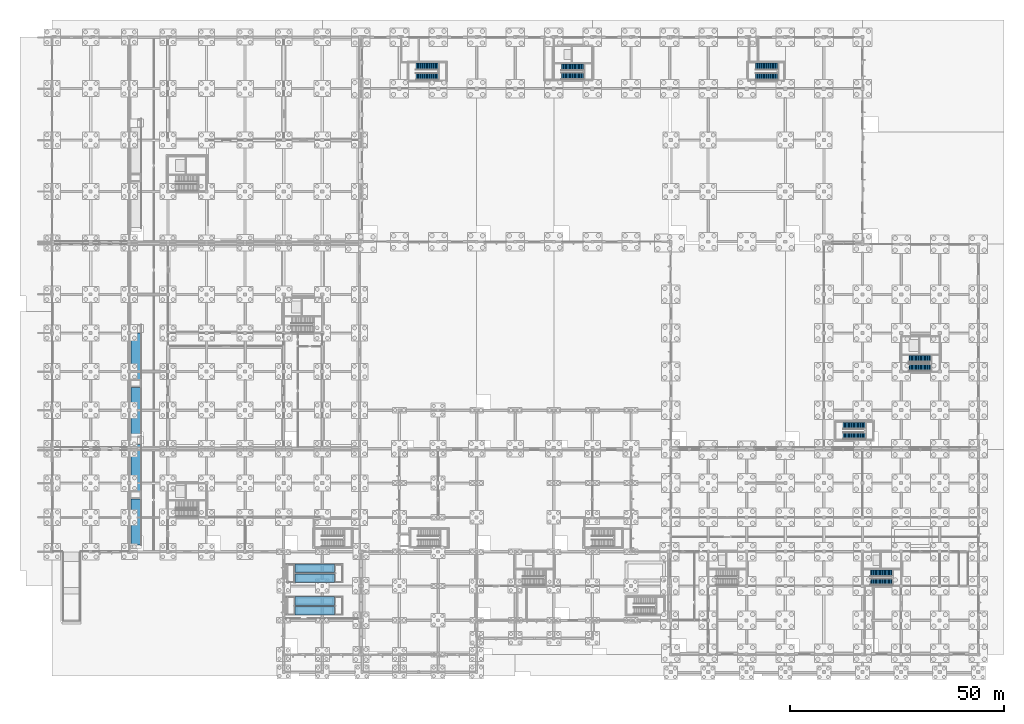
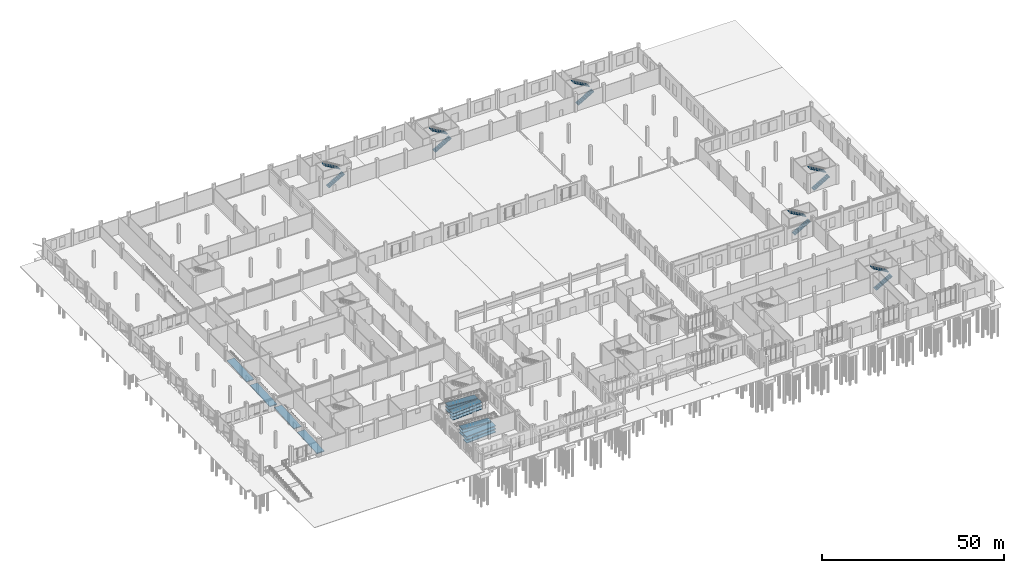
# One storey, part 76 of 99: 16 ramp flights, 12 stair flights, 10 elements without a shape of their own.
"""IFC4 building model written with IfcOpenShell, lengths in metres."""

from ifc_helpers import new_model, si_unit, direction, frame, origin, place, context, subcontext, project, spatial, polyline, outline, extrude, material, layer, layer_set, type_object, element, aggregate, save


model = new_model("IFC4")

# Units and contexts
model_context = context("Model", 3, precision=1e-05, world=origin(), true_north=direction((0.0, 1.0)))
body_context = subcontext(model_context, "Body", "Model", "MODEL_VIEW")
ifc_project = project(units=[si_unit("LENGTHUNIT", "METRE"), si_unit("AREAUNIT", "SQUARE_METRE"), si_unit("VOLUMEUNIT", "CUBIC_METRE"), si_unit("PLANEANGLEUNIT", "RADIAN"), si_unit("MASSUNIT", "GRAM", prefix="KILO")], contexts=[model_context])

# Site, building, storey
site_placement = place(None, origin())
site = spatial("IfcSite", under=ifc_project, at=site_placement, CompositionType="ELEMENT")
building_placement = place(site_placement, origin())
building = spatial("IfcBuilding", under=site, at=building_placement, Name="Zacnel Wholesale Market", CompositionType="ELEMENT")
storey_placement = place(building_placement, origin())
storey = spatial("IfcBuildingStorey", under=building, at=storey_placement, Name="L01", CompositionType="ELEMENT", Elevation=0.0)

# Stair, stair flights
ifc_material_1 = material(Name="Precast concrete C45/55", Category="concrete")
stair_type = type_object("IfcStairType", Name="STR-DOGLEG-1550", PredefinedType="HALF_TURN_STAIR", material=ifc_material_1)
stair_1_placement = place(storey_placement, origin())
stair_1 = element("IfcStair", 1, at=stair_1_placement, inside=storey, type_object=stair_type, Name="Stair ST-04 (L01)", PredefinedType="HALF_TURN_STAIR")
ifc_material_2 = material(Name="Precast concrete C45/55", Category="concrete")
ifc_layer_1 = layer(ifc_material_2, 0.159912109375)
ifc_layer_set_1 = layer_set([ifc_layer_1], Name="Precast concrete C45/55")
stair_flight_type = type_object("IfcStairFlightType", Name="FLT-PC-1550", PredefinedType="STRAIGHT", material=ifc_layer_set_1)
stair_flight_1_placement = place(storey_placement, frame((190.81005859375, 16.965087890625, 0.0), z_axis=(0.0, 0.0, 1.0), x_axis=(1.0, 0.0, 0.0)))
stair_flight_1 = element("IfcStairFlight", 2, at=stair_flight_1_placement, type_object=stair_flight_type, Name="ST-04 flight 1", NumberOfRisers=18, NumberOfTreads=17, PredefinedType="STRAIGHT", RiserHeight=0.175, TreadLength=0.3, context=body_context, shape_type="SweptSolid", body=[
    extrude(outline(polyline([(0.0, 0.0), (0.0, 0.175048828125), (0.300048828125, 0.175048828125), (0.300048828125, 0.35009765625), (0.60009765625, 0.35009765625), (0.60009765625, 0.52490234375), (0.89990234375, 0.52490234375), (0.89990234375, 0.699951171875), (1.199951171875, 0.699951171875), (1.199951171875, 0.875), (1.5, 0.875), (1.5, 1.050048828125), (1.800048828125, 1.050048828125), (1.800048828125, 1.22509765625), (2.10009765625, 1.22509765625), (2.10009765625, 1.39990234375), (2.39990234375, 1.39990234375), (2.39990234375, 1.574951171875), (2.699951171875, 1.574951171875), (2.699951171875, 1.75), (3.0, 1.75), (3.0, 1.925048828125), (3.300048828125, 1.925048828125), (3.300048828125, 2.10009765625), (3.60009765625, 2.10009765625), (3.60009765625, 2.27490234375), (3.89990234375, 2.27490234375), (3.89990234375, 2.449951171875), (4.199951171875, 2.449951171875), (4.199951171875, 2.625), (4.5, 2.625), (4.5, 2.800048828125), (4.800048828125, 2.800048828125), (4.800048828125, 2.97509765625), (5.10009765625, 2.97509765625), (5.10009765625, 3.14990234375), (5.10009765625, 2.789794921875), (0.3173828125, 0.0), (0.0, 0.0)])), frame((0.0, 0.77490234375, 0.0), z_axis=(0.0, -1.0, 0.0), x_axis=(1.0, 0.0, 0.0)), (0.0, 0.0, 1.0), 1.550048828125),
])
stair_flight_2_placement = place(storey_placement, frame((195.909912109375, 18.985107421875, 3.14990234375), z_axis=(0.0, 0.0, 1.0), x_axis=(-1.0, 0.0, 0.0)))
stair_flight_2 = element("IfcStairFlight", 3, at=stair_flight_2_placement, type_object=stair_flight_type, Name="ST-04 flight 2", NumberOfRisers=18, NumberOfTreads=17, PredefinedType="STRAIGHT", RiserHeight=0.175, TreadLength=0.3, context=body_context, shape_type="SweptSolid", body=[
    extrude(outline(polyline([(0.0, 0.0), (0.0, 0.175048828125), (0.300048828125, 0.175048828125), (0.300048828125, 0.35009765625), (0.60009765625, 0.35009765625), (0.60009765625, 0.52490234375), (0.89990234375, 0.52490234375), (0.89990234375, 0.699951171875), (1.199951171875, 0.699951171875), (1.199951171875, 0.875), (1.5, 0.875), (1.5, 1.050048828125), (1.800048828125, 1.050048828125), (1.800048828125, 1.22509765625), (2.10009765625, 1.22509765625), (2.10009765625, 1.39990234375), (2.39990234375, 1.39990234375), (2.39990234375, 1.574951171875), (2.699951171875, 1.574951171875), (2.699951171875, 1.75), (3.0, 1.75), (3.0, 1.925048828125), (3.300048828125, 1.925048828125), (3.300048828125, 2.10009765625), (3.60009765625, 2.10009765625), (3.60009765625, 2.27490234375), (3.89990234375, 2.27490234375), (3.89990234375, 2.449951171875), (4.199951171875, 2.449951171875), (4.199951171875, 2.625), (4.5, 2.625), (4.5, 2.800048828125), (4.800048828125, 2.800048828125), (4.800048828125, 2.97509765625), (5.10009765625, 2.97509765625), (5.10009765625, 3.14990234375), (5.10009765625, 2.789794921875), (0.3173828125, 0.0), (0.0, 0.0)])), frame((0.0, 0.77490234375, 0.0), z_axis=(0.0, -1.0, 0.0), x_axis=(1.0, 0.0, 0.0)), (0.0, 0.0, 1.0), 1.550048828125),
])
aggregate(stair_1, [stair_flight_1, stair_flight_2])

stair_2_placement = place(storey_placement, origin())
stair_2 = element("IfcStair", 4, at=stair_2_placement, inside=storey, type_object=stair_type, Name="Stair ST-14 (L01)", PredefinedType="HALF_TURN_STAIR")
stair_flight_3_placement = place(storey_placement, frame((118.81005859375, 134.965087890625, 0.0), z_axis=(0.0, 0.0, 1.0), x_axis=(1.0, 0.0, 0.0)))
stair_flight_3 = element("IfcStairFlight", 5, at=stair_flight_3_placement, type_object=stair_flight_type, Name="ST-14 flight 1", NumberOfRisers=18, NumberOfTreads=17, PredefinedType="STRAIGHT", RiserHeight=0.175, TreadLength=0.3, context=body_context, shape_type="SweptSolid", body=[
    extrude(outline(polyline([(0.0, 0.0), (0.0, 0.175048828125), (0.300048828125, 0.175048828125), (0.300048828125, 0.35009765625), (0.60009765625, 0.35009765625), (0.60009765625, 0.52490234375), (0.89990234375, 0.52490234375), (0.89990234375, 0.699951171875), (1.199951171875, 0.699951171875), (1.199951171875, 0.875), (1.5, 0.875), (1.5, 1.050048828125), (1.800048828125, 1.050048828125), (1.800048828125, 1.22509765625), (2.10009765625, 1.22509765625), (2.10009765625, 1.39990234375), (2.39990234375, 1.39990234375), (2.39990234375, 1.574951171875), (2.699951171875, 1.574951171875), (2.699951171875, 1.75), (3.0, 1.75), (3.0, 1.925048828125), (3.300048828125, 1.925048828125), (3.300048828125, 2.10009765625), (3.60009765625, 2.10009765625), (3.60009765625, 2.27490234375), (3.89990234375, 2.27490234375), (3.89990234375, 2.449951171875), (4.199951171875, 2.449951171875), (4.199951171875, 2.625), (4.5, 2.625), (4.5, 2.800048828125), (4.800048828125, 2.800048828125), (4.800048828125, 2.97509765625), (5.10009765625, 2.97509765625), (5.10009765625, 3.14990234375), (5.10009765625, 2.789794921875), (0.3173828125, 0.0), (0.0, 0.0)])), frame((0.0, 0.77490234375, 0.0), z_axis=(0.0, -1.0, 0.0), x_axis=(1.0, 0.0, 0.0)), (0.0, 0.0, 1.0), 1.550048828125),
])
stair_flight_4_placement = place(storey_placement, frame((123.909912109375, 136.985107421875, 3.14990234375), z_axis=(0.0, 0.0, 1.0), x_axis=(-1.0, 0.0, 0.0)))
stair_flight_4 = element("IfcStairFlight", 6, at=stair_flight_4_placement, type_object=stair_flight_type, Name="ST-14 flight 2", NumberOfRisers=18, NumberOfTreads=17, PredefinedType="STRAIGHT", RiserHeight=0.175, TreadLength=0.3, context=body_context, shape_type="SweptSolid", body=[
    extrude(outline(polyline([(0.0, 0.0), (0.0, 0.175048828125), (0.300048828125, 0.175048828125), (0.300048828125, 0.35009765625), (0.60009765625, 0.35009765625), (0.60009765625, 0.52490234375), (0.89990234375, 0.52490234375), (0.89990234375, 0.699951171875), (1.199951171875, 0.699951171875), (1.199951171875, 0.875), (1.5, 0.875), (1.5, 1.050048828125), (1.800048828125, 1.050048828125), (1.800048828125, 1.22509765625), (2.10009765625, 1.22509765625), (2.10009765625, 1.39990234375), (2.39990234375, 1.39990234375), (2.39990234375, 1.574951171875), (2.699951171875, 1.574951171875), (2.699951171875, 1.75), (3.0, 1.75), (3.0, 1.925048828125), (3.300048828125, 1.925048828125), (3.300048828125, 2.10009765625), (3.60009765625, 2.10009765625), (3.60009765625, 2.27490234375), (3.89990234375, 2.27490234375), (3.89990234375, 2.449951171875), (4.199951171875, 2.449951171875), (4.199951171875, 2.625), (4.5, 2.625), (4.5, 2.800048828125), (4.800048828125, 2.800048828125), (4.800048828125, 2.97509765625), (5.10009765625, 2.97509765625), (5.10009765625, 3.14990234375), (5.10009765625, 2.789794921875), (0.3173828125, 0.0), (0.0, 0.0)])), frame((0.0, 0.77490234375, 0.0), z_axis=(0.0, -1.0, 0.0), x_axis=(1.0, 0.0, 0.0)), (0.0, 0.0, 1.0), 1.550048828125),
])
aggregate(stair_2, [stair_flight_3, stair_flight_4])

stair_3_placement = place(storey_placement, origin())
stair_3 = element("IfcStair", 7, at=stair_3_placement, inside=storey, type_object=stair_type, Name="Stair ST-15 (L01)", PredefinedType="HALF_TURN_STAIR")
stair_flight_5_placement = place(storey_placement, frame((199.81005859375, 66.965087890625, 0.0), z_axis=(0.0, 0.0, 1.0), x_axis=(1.0, 0.0, 0.0)))
stair_flight_5 = element("IfcStairFlight", 8, at=stair_flight_5_placement, type_object=stair_flight_type, Name="ST-15 flight 1", NumberOfRisers=18, NumberOfTreads=17, PredefinedType="STRAIGHT", RiserHeight=0.175, TreadLength=0.3, context=body_context, shape_type="SweptSolid", body=[
    extrude(outline(polyline([(0.0, 0.0), (0.0, 0.175048828125), (0.300048828125, 0.175048828125), (0.300048828125, 0.35009765625), (0.60009765625, 0.35009765625), (0.60009765625, 0.52490234375), (0.89990234375, 0.52490234375), (0.89990234375, 0.699951171875), (1.199951171875, 0.699951171875), (1.199951171875, 0.875), (1.5, 0.875), (1.5, 1.050048828125), (1.800048828125, 1.050048828125), (1.800048828125, 1.22509765625), (2.10009765625, 1.22509765625), (2.10009765625, 1.39990234375), (2.39990234375, 1.39990234375), (2.39990234375, 1.574951171875), (2.699951171875, 1.574951171875), (2.699951171875, 1.75), (3.0, 1.75), (3.0, 1.925048828125), (3.300048828125, 1.925048828125), (3.300048828125, 2.10009765625), (3.60009765625, 2.10009765625), (3.60009765625, 2.27490234375), (3.89990234375, 2.27490234375), (3.89990234375, 2.449951171875), (4.199951171875, 2.449951171875), (4.199951171875, 2.625), (4.5, 2.625), (4.5, 2.800048828125), (4.800048828125, 2.800048828125), (4.800048828125, 2.97509765625), (5.10009765625, 2.97509765625), (5.10009765625, 3.14990234375), (5.10009765625, 2.789794921875), (0.3173828125, 0.0), (0.0, 0.0)])), frame((0.0, 0.77490234375, 0.0), z_axis=(0.0, -1.0, 0.0), x_axis=(1.0, 0.0, 0.0)), (0.0, 0.0, 1.0), 1.550048828125),
])
stair_flight_6_placement = place(storey_placement, frame((204.909912109375, 68.985107421875, 3.14990234375), z_axis=(0.0, 0.0, 1.0), x_axis=(-1.0, 0.0, 0.0)))
stair_flight_6 = element("IfcStairFlight", 9, at=stair_flight_6_placement, type_object=stair_flight_type, Name="ST-15 flight 2", NumberOfRisers=18, NumberOfTreads=17, PredefinedType="STRAIGHT", RiserHeight=0.175, TreadLength=0.3, context=body_context, shape_type="SweptSolid", body=[
    extrude(outline(polyline([(0.0, 0.0), (0.0, 0.175048828125), (0.300048828125, 0.175048828125), (0.300048828125, 0.35009765625), (0.60009765625, 0.35009765625), (0.60009765625, 0.52490234375), (0.89990234375, 0.52490234375), (0.89990234375, 0.699951171875), (1.199951171875, 0.699951171875), (1.199951171875, 0.875), (1.5, 0.875), (1.5, 1.050048828125), (1.800048828125, 1.050048828125), (1.800048828125, 1.22509765625), (2.10009765625, 1.22509765625), (2.10009765625, 1.39990234375), (2.39990234375, 1.39990234375), (2.39990234375, 1.574951171875), (2.699951171875, 1.574951171875), (2.699951171875, 1.75), (3.0, 1.75), (3.0, 1.925048828125), (3.300048828125, 1.925048828125), (3.300048828125, 2.10009765625), (3.60009765625, 2.10009765625), (3.60009765625, 2.27490234375), (3.89990234375, 2.27490234375), (3.89990234375, 2.449951171875), (4.199951171875, 2.449951171875), (4.199951171875, 2.625), (4.5, 2.625), (4.5, 2.800048828125), (4.800048828125, 2.800048828125), (4.800048828125, 2.97509765625), (5.10009765625, 2.97509765625), (5.10009765625, 3.14990234375), (5.10009765625, 2.789794921875), (0.3173828125, 0.0), (0.0, 0.0)])), frame((0.0, 0.77490234375, 0.0), z_axis=(0.0, -1.0, 0.0), x_axis=(1.0, 0.0, 0.0)), (0.0, 0.0, 1.0), 1.550048828125),
])
aggregate(stair_3, [stair_flight_5, stair_flight_6])

stair_4_placement = place(storey_placement, origin())
stair_4 = element("IfcStair", 10, at=stair_4_placement, inside=storey, type_object=stair_type, Name="Stair ST-20 (L01)", PredefinedType="HALF_TURN_STAIR")
stair_flight_7_placement = place(storey_placement, frame((84.8798828125, 134.8349609375, 0.0), z_axis=(0.0, 0.0, 1.0), x_axis=(1.0, 0.0, 0.0)))
stair_flight_7 = element("IfcStairFlight", 11, at=stair_flight_7_placement, type_object=stair_flight_type, Name="ST-20 flight 1", NumberOfRisers=18, NumberOfTreads=17, PredefinedType="STRAIGHT", RiserHeight=0.175, TreadLength=0.3, context=body_context, shape_type="SweptSolid", body=[
    extrude(outline(polyline([(0.0, 0.0), (0.0, 0.175048828125), (0.300048828125, 0.175048828125), (0.300048828125, 0.35009765625), (0.60009765625, 0.35009765625), (0.60009765625, 0.52490234375), (0.89990234375, 0.52490234375), (0.89990234375, 0.699951171875), (1.199951171875, 0.699951171875), (1.199951171875, 0.875), (1.5, 0.875), (1.5, 1.050048828125), (1.800048828125, 1.050048828125), (1.800048828125, 1.22509765625), (2.10009765625, 1.22509765625), (2.10009765625, 1.39990234375), (2.39990234375, 1.39990234375), (2.39990234375, 1.574951171875), (2.699951171875, 1.574951171875), (2.699951171875, 1.75), (3.0, 1.75), (3.0, 1.925048828125), (3.300048828125, 1.925048828125), (3.300048828125, 2.10009765625), (3.60009765625, 2.10009765625), (3.60009765625, 2.27490234375), (3.89990234375, 2.27490234375), (3.89990234375, 2.449951171875), (4.199951171875, 2.449951171875), (4.199951171875, 2.625), (4.5, 2.625), (4.5, 2.800048828125), (4.800048828125, 2.800048828125), (4.800048828125, 2.97509765625), (5.10009765625, 2.97509765625), (5.10009765625, 3.14990234375), (5.10009765625, 2.789794921875), (0.3173828125, 0.0), (0.0, 0.0)])), frame((0.0, 0.77490234375, 0.0), z_axis=(0.0, -1.0, 0.0), x_axis=(1.0, 0.0, 0.0)), (0.0, 0.0, 1.0), 1.550048828125),
])
stair_flight_8_placement = place(storey_placement, frame((89.97998046875, 137.1650390625, 3.14990234375), z_axis=(0.0, 0.0, 1.0), x_axis=(-1.0, 0.0, 0.0)))
stair_flight_8 = element("IfcStairFlight", 12, at=stair_flight_8_placement, type_object=stair_flight_type, Name="ST-20 flight 2", NumberOfRisers=18, NumberOfTreads=17, PredefinedType="STRAIGHT", RiserHeight=0.175, TreadLength=0.3, context=body_context, shape_type="SweptSolid", body=[
    extrude(outline(polyline([(0.0, 0.0), (0.0, 0.175048828125), (0.300048828125, 0.175048828125), (0.300048828125, 0.35009765625), (0.60009765625, 0.35009765625), (0.60009765625, 0.52490234375), (0.89990234375, 0.52490234375), (0.89990234375, 0.699951171875), (1.199951171875, 0.699951171875), (1.199951171875, 0.875), (1.5, 0.875), (1.5, 1.050048828125), (1.800048828125, 1.050048828125), (1.800048828125, 1.22509765625), (2.10009765625, 1.22509765625), (2.10009765625, 1.39990234375), (2.39990234375, 1.39990234375), (2.39990234375, 1.574951171875), (2.699951171875, 1.574951171875), (2.699951171875, 1.75), (3.0, 1.75), (3.0, 1.925048828125), (3.300048828125, 1.925048828125), (3.300048828125, 2.10009765625), (3.60009765625, 2.10009765625), (3.60009765625, 2.27490234375), (3.89990234375, 2.27490234375), (3.89990234375, 2.449951171875), (4.199951171875, 2.449951171875), (4.199951171875, 2.625), (4.5, 2.625), (4.5, 2.800048828125), (4.800048828125, 2.800048828125), (4.800048828125, 2.97509765625), (5.10009765625, 2.97509765625), (5.10009765625, 3.14990234375), (5.10009765625, 2.789794921875), (0.3173828125, 0.0), (0.0, 0.0)])), frame((0.0, 0.77490234375, 0.0), z_axis=(0.0, -1.0, 0.0), x_axis=(1.0, 0.0, 0.0)), (0.0, 0.0, 1.0), 1.550048828125),
])
aggregate(stair_4, [stair_flight_7, stair_flight_8])

stair_5_placement = place(storey_placement, origin())
stair_5 = element("IfcStair", 13, at=stair_5_placement, inside=storey, type_object=stair_type, Name="Stair ST-21 (L01)", PredefinedType="HALF_TURN_STAIR")
stair_flight_9_placement = place(storey_placement, frame((164.080078125, 134.8349609375, 0.0), z_axis=(0.0, 0.0, 1.0), x_axis=(1.0, 0.0, 0.0)))
stair_flight_9 = element("IfcStairFlight", 14, at=stair_flight_9_placement, type_object=stair_flight_type, Name="ST-21 flight 1", NumberOfRisers=18, NumberOfTreads=17, PredefinedType="STRAIGHT", RiserHeight=0.175, TreadLength=0.3, context=body_context, shape_type="SweptSolid", body=[
    extrude(outline(polyline([(0.0, 0.0), (0.0, 0.175048828125), (0.300048828125, 0.175048828125), (0.300048828125, 0.35009765625), (0.60009765625, 0.35009765625), (0.60009765625, 0.52490234375), (0.89990234375, 0.52490234375), (0.89990234375, 0.699951171875), (1.199951171875, 0.699951171875), (1.199951171875, 0.875), (1.5, 0.875), (1.5, 1.050048828125), (1.800048828125, 1.050048828125), (1.800048828125, 1.22509765625), (2.10009765625, 1.22509765625), (2.10009765625, 1.39990234375), (2.39990234375, 1.39990234375), (2.39990234375, 1.574951171875), (2.699951171875, 1.574951171875), (2.699951171875, 1.75), (3.0, 1.75), (3.0, 1.925048828125), (3.300048828125, 1.925048828125), (3.300048828125, 2.10009765625), (3.60009765625, 2.10009765625), (3.60009765625, 2.27490234375), (3.89990234375, 2.27490234375), (3.89990234375, 2.449951171875), (4.199951171875, 2.449951171875), (4.199951171875, 2.625), (4.5, 2.625), (4.5, 2.800048828125), (4.800048828125, 2.800048828125), (4.800048828125, 2.97509765625), (5.10009765625, 2.97509765625), (5.10009765625, 3.14990234375), (5.10009765625, 2.789794921875), (0.3173828125, 0.0), (0.0, 0.0)])), frame((0.0, 0.77490234375, 0.0), z_axis=(0.0, -1.0, 0.0), x_axis=(1.0, 0.0, 0.0)), (0.0, 0.0, 1.0), 1.550048828125),
])
stair_flight_10_placement = place(storey_placement, frame((169.179931640625, 137.1650390625, 3.14990234375), z_axis=(0.0, 0.0, 1.0), x_axis=(-1.0, 0.0, 0.0)))
stair_flight_10 = element("IfcStairFlight", 15, at=stair_flight_10_placement, type_object=stair_flight_type, Name="ST-21 flight 2", NumberOfRisers=18, NumberOfTreads=17, PredefinedType="STRAIGHT", RiserHeight=0.175, TreadLength=0.3, context=body_context, shape_type="SweptSolid", body=[
    extrude(outline(polyline([(0.0, 0.0), (0.0, 0.175048828125), (0.300048828125, 0.175048828125), (0.300048828125, 0.35009765625), (0.60009765625, 0.35009765625), (0.60009765625, 0.52490234375), (0.89990234375, 0.52490234375), (0.89990234375, 0.699951171875), (1.199951171875, 0.699951171875), (1.199951171875, 0.875), (1.5, 0.875), (1.5, 1.050048828125), (1.800048828125, 1.050048828125), (1.800048828125, 1.22509765625), (2.10009765625, 1.22509765625), (2.10009765625, 1.39990234375), (2.39990234375, 1.39990234375), (2.39990234375, 1.574951171875), (2.699951171875, 1.574951171875), (2.699951171875, 1.75), (3.0, 1.75), (3.0, 1.925048828125), (3.300048828125, 1.925048828125), (3.300048828125, 2.10009765625), (3.60009765625, 2.10009765625), (3.60009765625, 2.27490234375), (3.89990234375, 2.27490234375), (3.89990234375, 2.449951171875), (4.199951171875, 2.449951171875), (4.199951171875, 2.625), (4.5, 2.625), (4.5, 2.800048828125), (4.800048828125, 2.800048828125), (4.800048828125, 2.97509765625), (5.10009765625, 2.97509765625), (5.10009765625, 3.14990234375), (5.10009765625, 2.789794921875), (0.3173828125, 0.0), (0.0, 0.0)])), frame((0.0, 0.77490234375, 0.0), z_axis=(0.0, -1.0, 0.0), x_axis=(1.0, 0.0, 0.0)), (0.0, 0.0, 1.0), 1.550048828125),
])
aggregate(stair_5, [stair_flight_9, stair_flight_10])

stair_6_placement = place(storey_placement, origin())
stair_6 = element("IfcStair", 16, at=stair_6_placement, inside=storey, type_object=stair_type, Name="Stair ST-22 (L01)", PredefinedType="HALF_TURN_STAIR")
stair_flight_11_placement = place(storey_placement, frame((184.47998046875, 51.034912109375, 0.0), z_axis=(0.0, 0.0, 1.0), x_axis=(1.0, 0.0, 0.0)))
stair_flight_11 = element("IfcStairFlight", 17, at=stair_flight_11_placement, type_object=stair_flight_type, Name="ST-22 flight 1", NumberOfRisers=18, NumberOfTreads=17, PredefinedType="STRAIGHT", RiserHeight=0.175, TreadLength=0.3, context=body_context, shape_type="SweptSolid", body=[
    extrude(outline(polyline([(0.0, 0.0), (0.0, 0.175048828125), (0.300048828125, 0.175048828125), (0.300048828125, 0.35009765625), (0.60009765625, 0.35009765625), (0.60009765625, 0.52490234375), (0.89990234375, 0.52490234375), (0.89990234375, 0.699951171875), (1.199951171875, 0.699951171875), (1.199951171875, 0.875), (1.5, 0.875), (1.5, 1.050048828125), (1.800048828125, 1.050048828125), (1.800048828125, 1.22509765625), (2.10009765625, 1.22509765625), (2.10009765625, 1.39990234375), (2.39990234375, 1.39990234375), (2.39990234375, 1.574951171875), (2.699951171875, 1.574951171875), (2.699951171875, 1.75), (3.0, 1.75), (3.0, 1.925048828125), (3.300048828125, 1.925048828125), (3.300048828125, 2.10009765625), (3.60009765625, 2.10009765625), (3.60009765625, 2.27490234375), (3.89990234375, 2.27490234375), (3.89990234375, 2.449951171875), (4.199951171875, 2.449951171875), (4.199951171875, 2.625), (4.5, 2.625), (4.5, 2.800048828125), (4.800048828125, 2.800048828125), (4.800048828125, 2.97509765625), (5.10009765625, 2.97509765625), (5.10009765625, 3.14990234375), (5.10009765625, 2.789794921875), (0.3173828125, 0.0), (0.0, 0.0)])), frame((0.0, 0.77490234375, 0.0), z_axis=(0.0, -1.0, 0.0), x_axis=(1.0, 0.0, 0.0)), (0.0, 0.0, 1.0), 1.550048828125),
])
stair_flight_12_placement = place(storey_placement, frame((189.580078125, 53.364990234375, 3.14990234375), z_axis=(0.0, 0.0, 1.0), x_axis=(-1.0, 0.0, 0.0)))
stair_flight_12 = element("IfcStairFlight", 18, at=stair_flight_12_placement, type_object=stair_flight_type, Name="ST-22 flight 2", NumberOfRisers=18, NumberOfTreads=17, PredefinedType="STRAIGHT", RiserHeight=0.175, TreadLength=0.3, context=body_context, shape_type="SweptSolid", body=[
    extrude(outline(polyline([(0.0, 0.0), (0.0, 0.175048828125), (0.300048828125, 0.175048828125), (0.300048828125, 0.35009765625), (0.60009765625, 0.35009765625), (0.60009765625, 0.52490234375), (0.89990234375, 0.52490234375), (0.89990234375, 0.699951171875), (1.199951171875, 0.699951171875), (1.199951171875, 0.875), (1.5, 0.875), (1.5, 1.050048828125), (1.800048828125, 1.050048828125), (1.800048828125, 1.22509765625), (2.10009765625, 1.22509765625), (2.10009765625, 1.39990234375), (2.39990234375, 1.39990234375), (2.39990234375, 1.574951171875), (2.699951171875, 1.574951171875), (2.699951171875, 1.75), (3.0, 1.75), (3.0, 1.925048828125), (3.300048828125, 1.925048828125), (3.300048828125, 2.10009765625), (3.60009765625, 2.10009765625), (3.60009765625, 2.27490234375), (3.89990234375, 2.27490234375), (3.89990234375, 2.449951171875), (4.199951171875, 2.449951171875), (4.199951171875, 2.625), (4.5, 2.625), (4.5, 2.800048828125), (4.800048828125, 2.800048828125), (4.800048828125, 2.97509765625), (5.10009765625, 2.97509765625), (5.10009765625, 3.14990234375), (5.10009765625, 2.789794921875), (0.3173828125, 0.0), (0.0, 0.0)])), frame((0.0, 0.77490234375, 0.0), z_axis=(0.0, -1.0, 0.0), x_axis=(1.0, 0.0, 0.0)), (0.0, 0.0, 1.0), 1.550048828125),
])
aggregate(stair_6, [stair_flight_11, stair_flight_12])

# Ramp, ramp flights
ifc_material_3 = material(Name="Precast concrete C45/55", Category="concrete")
ramp_type_1 = type_object("IfcRampType", Name="RMP-TWO-RUN-2000", PredefinedType="TWO_STRAIGHT_RUN_RAMP", material=ifc_material_3)
ramp_1_placement = place(storey_placement, origin())
ramp_1 = element("IfcRamp", 19, at=ramp_1_placement, inside=storey, type_object=ramp_type_1, Name="Accessible ramp RP-03 (RMP-PROM-1A)", PredefinedType="TWO_STRAIGHT_RUN_RAMP")
ifc_material_4 = material(Name="Precast concrete C45/55", Category="concrete")
ifc_layer_2 = layer(ifc_material_4, 0.219970703125)
ifc_layer_set_2 = layer_set([ifc_layer_2], Name="Precast concrete C45/55")
ramp_flight_type_1 = type_object("IfcRampFlightType", Name="RFLT-PC-2000", PredefinedType="STRAIGHT", material=ifc_layer_set_2)
ramp_flight_1_placement = place(storey_placement, frame((56.60009765625, 10.199951171875, 0.0), z_axis=(0.0, 0.0, 1.0), x_axis=(1.0, 0.0, 0.0)))
ramp_flight_1 = element("IfcRampFlight", 20, at=ramp_flight_1_placement, type_object=ramp_flight_type_1, Name="Accessible ramp RP-03 (RMP-PROM-1A) flight 1", PredefinedType="STRAIGHT", context=body_context, shape_type="SweptSolid", body=[
    extrude(outline(polyline([(0.0, 0.0), (9.2919921875, 0.52490234375), (9.2919921875, 0.304931640625), (0.0, -0.219970703125), (0.0, 0.0)])), frame((0.0, 1.0, 0.0), z_axis=(0.0, -1.0, 0.0), x_axis=(1.0, 0.0, 0.0)), (0.0, 0.0, 1.0), 2.0),
])
ramp_flight_2_placement = place(storey_placement, frame((65.89208984375, 12.5, 0.52490234375), z_axis=(0.0, 0.0, 1.0), x_axis=(-1.0, 0.0, 0.0)))
ramp_flight_2 = element("IfcRampFlight", 21, at=ramp_flight_2_placement, type_object=ramp_flight_type_1, Name="Accessible ramp RP-03 (RMP-PROM-1A) flight 2", PredefinedType="STRAIGHT", context=body_context, shape_type="SweptSolid", body=[
    extrude(outline(polyline([(0.0, 0.0), (9.2919921875, 0.52490234375), (9.2919921875, 0.304931640625), (0.0, -0.219970703125), (0.0, 0.0)])), frame((0.0, 1.0, 0.0), z_axis=(0.0, -1.0, 0.0), x_axis=(1.0, 0.0, 0.0)), (0.0, 0.0, 1.0), 2.0),
])
ramp_flight_3_placement = place(storey_placement, frame((56.60009765625, 10.199951171875, 1.050048828125), z_axis=(0.0, 0.0, 1.0), x_axis=(1.0, 0.0, 0.0)))
ramp_flight_3 = element("IfcRampFlight", 22, at=ramp_flight_3_placement, type_object=ramp_flight_type_1, Name="Accessible ramp RP-03 (RMP-PROM-1A) flight 3", PredefinedType="STRAIGHT", context=body_context, shape_type="SweptSolid", body=[
    extrude(outline(polyline([(0.0, 0.0), (9.2919921875, 0.52490234375), (9.2919921875, 0.304931640625), (0.0, -0.219970703125), (0.0, 0.0)])), frame((0.0, 1.0, 0.0), z_axis=(0.0, -1.0, 0.0), x_axis=(1.0, 0.0, 0.0)), (0.0, 0.0, 1.0), 2.0),
])
ramp_flight_4_placement = place(storey_placement, frame((65.89208984375, 12.5, 1.574951171875), z_axis=(0.0, 0.0, 1.0), x_axis=(-1.0, 0.0, 0.0)))
ramp_flight_4 = element("IfcRampFlight", 23, at=ramp_flight_4_placement, type_object=ramp_flight_type_1, Name="Accessible ramp RP-03 (RMP-PROM-1A) flight 4", PredefinedType="STRAIGHT", context=body_context, shape_type="SweptSolid", body=[
    extrude(outline(polyline([(0.0, 0.0), (9.2919921875, 0.52490234375), (9.2919921875, 0.304931640625), (0.0, -0.219970703125), (0.0, 0.0)])), frame((0.0, 1.0, 0.0), z_axis=(0.0, -1.0, 0.0), x_axis=(1.0, 0.0, 0.0)), (0.0, 0.0, 1.0), 2.0),
])
ramp_flight_5_placement = place(storey_placement, frame((56.60009765625, 10.199951171875, 2.10009765625), z_axis=(0.0, 0.0, 1.0), x_axis=(1.0, 0.0, 0.0)))
ramp_flight_5 = element("IfcRampFlight", 24, at=ramp_flight_5_placement, type_object=ramp_flight_type_1, Name="Accessible ramp RP-03 (RMP-PROM-1A) flight 5", PredefinedType="STRAIGHT", context=body_context, shape_type="SweptSolid", body=[
    extrude(outline(polyline([(0.0, 0.0), (9.2919921875, 0.52490234375), (9.2919921875, 0.304931640625), (0.0, -0.219970703125), (0.0, 0.0)])), frame((0.0, 1.0, 0.0), z_axis=(0.0, -1.0, 0.0), x_axis=(1.0, 0.0, 0.0)), (0.0, 0.0, 1.0), 2.0),
])
ramp_flight_6_placement = place(storey_placement, frame((65.89208984375, 12.5, 2.625), z_axis=(0.0, 0.0, 1.0), x_axis=(-1.0, 0.0, 0.0)))
ramp_flight_6 = element("IfcRampFlight", 25, at=ramp_flight_6_placement, type_object=ramp_flight_type_1, Name="Accessible ramp RP-03 (RMP-PROM-1A) flight 6", PredefinedType="STRAIGHT", context=body_context, shape_type="SweptSolid", body=[
    extrude(outline(polyline([(0.0, 0.0), (9.2919921875, 0.52490234375), (9.2919921875, 0.304931640625), (0.0, -0.219970703125), (0.0, 0.0)])), frame((0.0, 1.0, 0.0), z_axis=(0.0, -1.0, 0.0), x_axis=(1.0, 0.0, 0.0)), (0.0, 0.0, 1.0), 2.0),
])
aggregate(ramp_1, [ramp_flight_1, ramp_flight_2, ramp_flight_3, ramp_flight_4, ramp_flight_5, ramp_flight_6])

ramp_2_placement = place(storey_placement, origin())
ramp_2 = element("IfcRamp", 26, at=ramp_2_placement, inside=storey, type_object=ramp_type_1, Name="Accessible ramp RP-03 (RMP-PROM-1B)", PredefinedType="TWO_STRAIGHT_RUN_RAMP")
ramp_flight_7_placement = place(storey_placement, frame((56.60009765625, 17.800048828125, 3.14990234375), z_axis=(0.0, 0.0, 1.0), x_axis=(1.0, 0.0, 0.0)))
ramp_flight_7 = element("IfcRampFlight", 27, at=ramp_flight_7_placement, type_object=ramp_flight_type_1, Name="Accessible ramp RP-03 (RMP-PROM-1B) flight 1", PredefinedType="STRAIGHT", context=body_context, shape_type="SweptSolid", body=[
    extrude(outline(polyline([(0.0, 0.0), (9.2919921875, 0.52490234375), (9.2919921875, 0.304931640625), (0.0, -0.219970703125), (0.0, 0.0)])), frame((0.0, 1.0, 0.0), z_axis=(0.0, -1.0, 0.0), x_axis=(1.0, 0.0, 0.0)), (0.0, 0.0, 1.0), 2.0),
])
ramp_flight_8_placement = place(storey_placement, frame((65.89208984375, 20.10009765625, 3.675048828125), z_axis=(0.0, 0.0, 1.0), x_axis=(-1.0, 0.0, 0.0)))
ramp_flight_8 = element("IfcRampFlight", 28, at=ramp_flight_8_placement, type_object=ramp_flight_type_1, Name="Accessible ramp RP-03 (RMP-PROM-1B) flight 2", PredefinedType="STRAIGHT", context=body_context, shape_type="SweptSolid", body=[
    extrude(outline(polyline([(0.0, 0.0), (9.2919921875, 0.52490234375), (9.2919921875, 0.304931640625), (0.0, -0.219970703125), (0.0, 0.0)])), frame((0.0, 1.0, 0.0), z_axis=(0.0, -1.0, 0.0), x_axis=(1.0, 0.0, 0.0)), (0.0, 0.0, 1.0), 2.0),
])
ramp_flight_9_placement = place(storey_placement, frame((56.60009765625, 17.800048828125, 4.199951171875), z_axis=(0.0, 0.0, 1.0), x_axis=(1.0, 0.0, 0.0)))
ramp_flight_9 = element("IfcRampFlight", 29, at=ramp_flight_9_placement, type_object=ramp_flight_type_1, Name="Accessible ramp RP-03 (RMP-PROM-1B) flight 3", PredefinedType="STRAIGHT", context=body_context, shape_type="SweptSolid", body=[
    extrude(outline(polyline([(0.0, 0.0), (9.2919921875, 0.52490234375), (9.2919921875, 0.304931640625), (0.0, -0.219970703125), (0.0, 0.0)])), frame((0.0, 1.0, 0.0), z_axis=(0.0, -1.0, 0.0), x_axis=(1.0, 0.0, 0.0)), (0.0, 0.0, 1.0), 2.0),
])
ramp_flight_10_placement = place(storey_placement, frame((65.89208984375, 20.10009765625, 4.72509765625), z_axis=(0.0, 0.0, 1.0), x_axis=(-1.0, 0.0, 0.0)))
ramp_flight_10 = element("IfcRampFlight", 30, at=ramp_flight_10_placement, type_object=ramp_flight_type_1, Name="Accessible ramp RP-03 (RMP-PROM-1B) flight 4", PredefinedType="STRAIGHT", context=body_context, shape_type="SweptSolid", body=[
    extrude(outline(polyline([(0.0, 0.0), (9.2919921875, 0.52490234375), (9.2919921875, 0.304931640625), (0.0, -0.219970703125), (0.0, 0.0)])), frame((0.0, 1.0, 0.0), z_axis=(0.0, -1.0, 0.0), x_axis=(1.0, 0.0, 0.0)), (0.0, 0.0, 1.0), 2.0),
])
ramp_flight_11_placement = place(storey_placement, frame((56.60009765625, 17.800048828125, 5.25), z_axis=(0.0, 0.0, 1.0), x_axis=(1.0, 0.0, 0.0)))
ramp_flight_11 = element("IfcRampFlight", 31, at=ramp_flight_11_placement, type_object=ramp_flight_type_1, Name="Accessible ramp RP-03 (RMP-PROM-1B) flight 5", PredefinedType="STRAIGHT", context=body_context, shape_type="SweptSolid", body=[
    extrude(outline(polyline([(0.0, 0.0), (9.2919921875, 0.52490234375), (9.2919921875, 0.304931640625), (0.0, -0.219970703125), (0.0, 0.0)])), frame((0.0, 1.0, 0.0), z_axis=(0.0, -1.0, 0.0), x_axis=(1.0, 0.0, 0.0)), (0.0, 0.0, 1.0), 2.0),
])
ramp_flight_12_placement = place(storey_placement, frame((65.89208984375, 20.10009765625, 5.77490234375), z_axis=(0.0, 0.0, 1.0), x_axis=(-1.0, 0.0, 0.0)))
ramp_flight_12 = element("IfcRampFlight", 32, at=ramp_flight_12_placement, type_object=ramp_flight_type_1, Name="Accessible ramp RP-03 (RMP-PROM-1B) flight 6", PredefinedType="STRAIGHT", context=body_context, shape_type="SweptSolid", body=[
    extrude(outline(polyline([(0.0, 0.0), (9.2919921875, 0.52490234375), (9.2919921875, 0.304931640625), (0.0, -0.219970703125), (0.0, 0.0)])), frame((0.0, 1.0, 0.0), z_axis=(0.0, -1.0, 0.0), x_axis=(1.0, 0.0, 0.0)), (0.0, 0.0, 1.0), 2.0),
])
aggregate(ramp_2, [ramp_flight_7, ramp_flight_8, ramp_flight_9, ramp_flight_10, ramp_flight_11, ramp_flight_12])

ifc_material_5 = material(Name="Precast concrete C45/55", Category="concrete")
ramp_type_2 = type_object("IfcRampType", Name="RMP-STR-RUN-2400", PredefinedType="STRAIGHT_RUN_RAMP", material=ifc_material_5)
ramp_3_placement = place(storey_placement, origin())
ramp_3 = element("IfcRamp", 33, at=ramp_3_placement, inside=storey, type_object=ramp_type_2, Name="Accessible ramp RP-01 (RMP-DOCK-S)", PredefinedType="STRAIGHT_RUN_RAMP")
ifc_material_6 = material(Name="Precast concrete C45/55", Category="concrete")
ifc_layer_3 = layer(ifc_material_6, 0.239990234375)
ifc_layer_set_3 = layer_set([ifc_layer_3], Name="Precast concrete C45/55")
ramp_flight_type_2 = type_object("IfcRampFlightType", Name="RFLT-PC-2400", PredefinedType="STRAIGHT", material=ifc_layer_set_3)
ramp_flight_13_placement = place(storey_placement, frame((19.60009765625, 25.5, 0.0), z_axis=(0.0, 0.0, 1.0), x_axis=(0.0, 1.0, 0.0)))
ramp_flight_13 = element("IfcRampFlight", 34, at=ramp_flight_13_placement, type_object=ramp_flight_type_2, Name="Accessible ramp RP-01 (RMP-DOCK-S) flight 1", PredefinedType="STRAIGHT", context=body_context, shape_type="SweptSolid", body=[
    extrude(outline(polyline([(0.0, 0.0), (10.800048828125, 0.612548828125), (10.800048828125, 0.37255859375), (0.0, -0.239990234375), (0.0, 0.0)])), frame((0.0, 1.199951171875, 0.0), z_axis=(0.0, -1.0, 0.0), x_axis=(1.0, 0.0, 0.0)), (0.0, 0.0, 1.0), 2.39990234375),
])
ramp_flight_14_placement = place(storey_placement, frame((19.60009765625, 38.199951171875, 0.612548828125), z_axis=(0.0, 0.0, 1.0), x_axis=(0.0, 1.0, 0.0)))
ramp_flight_14 = element("IfcRampFlight", 35, at=ramp_flight_14_placement, type_object=ramp_flight_type_2, Name="Accessible ramp RP-01 (RMP-DOCK-S) flight 2", PredefinedType="STRAIGHT", context=body_context, shape_type="SweptSolid", body=[
    extrude(outline(polyline([(0.0, 0.0), (10.800048828125, 0.612548828125), (10.800048828125, 0.37255859375), (0.0, -0.239990234375), (0.0, 0.0)])), frame((0.0, 1.199951171875, 0.0), z_axis=(0.0, -1.0, 0.0), x_axis=(1.0, 0.0, 0.0)), (0.0, 0.0, 1.0), 2.39990234375),
])
aggregate(ramp_3, [ramp_flight_13, ramp_flight_14])

ramp_4_placement = place(storey_placement, origin())
ramp_4 = element("IfcRamp", 36, at=ramp_4_placement, inside=storey, type_object=ramp_type_2, Name="Accessible ramp RP-01 (RMP-DOCK-M)", PredefinedType="STRAIGHT_RUN_RAMP")
ramp_flight_15_placement = place(storey_placement, frame((19.60009765625, 51.5, 0.0), z_axis=(0.0, 0.0, 1.0), x_axis=(0.0, 1.0, 0.0)))
ramp_flight_15 = element("IfcRampFlight", 37, at=ramp_flight_15_placement, type_object=ramp_flight_type_2, Name="Accessible ramp RP-01 (RMP-DOCK-M) flight 1", PredefinedType="STRAIGHT", context=body_context, shape_type="SweptSolid", body=[
    extrude(outline(polyline([(0.0, 0.0), (10.800048828125, 0.612548828125), (10.800048828125, 0.37255859375), (0.0, -0.239990234375), (0.0, 0.0)])), frame((0.0, 1.199951171875, 0.0), z_axis=(0.0, -1.0, 0.0), x_axis=(1.0, 0.0, 0.0)), (0.0, 0.0, 1.0), 2.39990234375),
])
ramp_flight_16_placement = place(storey_placement, frame((19.60009765625, 64.199951171875, 0.612548828125), z_axis=(0.0, 0.0, 1.0), x_axis=(0.0, 1.0, 0.0)))
ramp_flight_16 = element("IfcRampFlight", 38, at=ramp_flight_16_placement, type_object=ramp_flight_type_2, Name="Accessible ramp RP-01 (RMP-DOCK-M) flight 2", PredefinedType="STRAIGHT", context=body_context, shape_type="SweptSolid", body=[
    extrude(outline(polyline([(0.0, 0.0), (10.800048828125, 0.612548828125), (10.800048828125, 0.37255859375), (0.0, -0.239990234375), (0.0, 0.0)])), frame((0.0, 1.199951171875, 0.0), z_axis=(0.0, -1.0, 0.0), x_axis=(1.0, 0.0, 0.0)), (0.0, 0.0, 1.0), 2.39990234375),
])
aggregate(ramp_4, [ramp_flight_15, ramp_flight_16])

save(model, "model.ifc")
